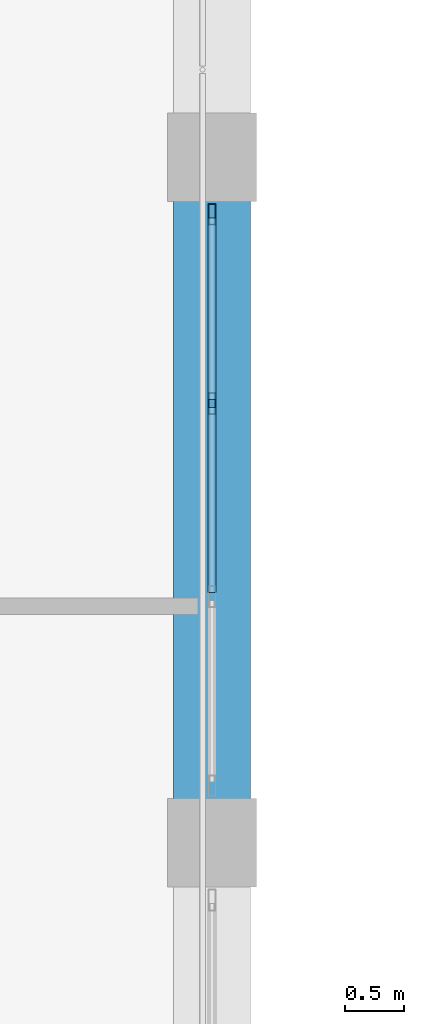
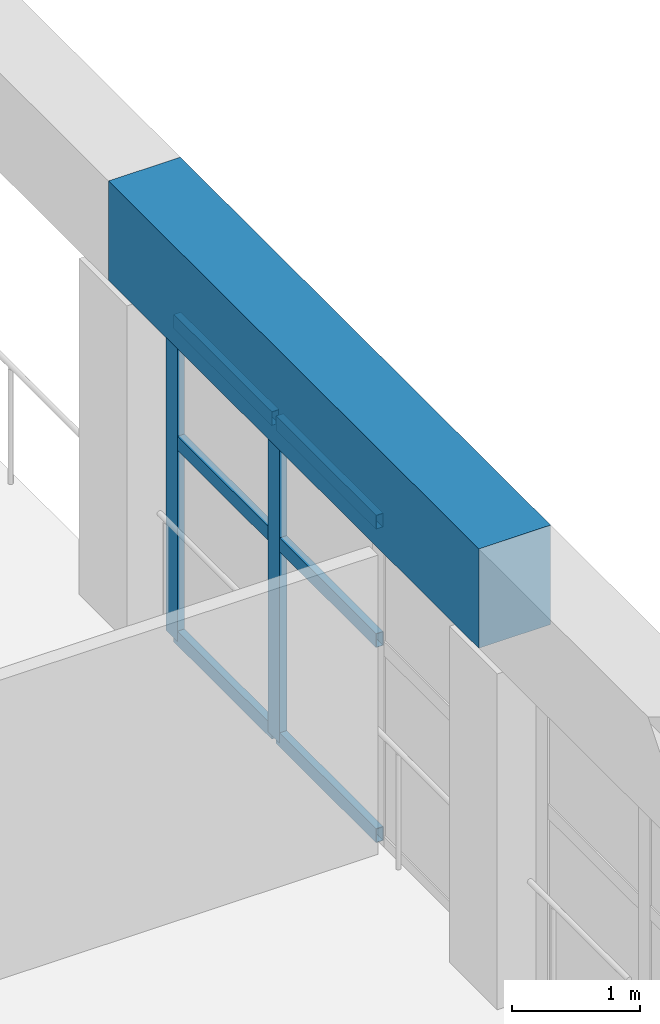
# One storey, part 34 of 128: 8 members, 1 beam, 1 element without a shape of its own.
"""IFC4 building model written with IfcOpenShell, lengths in metres."""

from ifc_helpers import new_model, si_unit, direction, frame, origin, origin_2d, place, context, subcontext, project, spatial, rectangle, hollow_rectangle, extrude, material, material_profile, profile_set, type_object, element, aggregate, save


model = new_model("IFC4")

# Units and contexts
model_context = context("Model", 3, precision=1e-05, world=origin(), true_north=direction((0.0, 1.0)))
body_context = subcontext(model_context, "Body", "Model", "MODEL_VIEW")
ifc_project = project(units=[si_unit("LENGTHUNIT", "METRE"), si_unit("AREAUNIT", "SQUARE_METRE"), si_unit("VOLUMEUNIT", "CUBIC_METRE"), si_unit("PLANEANGLEUNIT", "RADIAN"), si_unit("MASSUNIT", "GRAM", prefix="KILO")], contexts=[model_context])

# Site, building, storey
site_placement = place(None, origin())
site = spatial("IfcSite", under=ifc_project, at=site_placement, CompositionType="ELEMENT")
building_placement = place(site_placement, origin())
building = spatial("IfcBuilding", under=site, at=building_placement, Name="Tanwirah Colonnade Gardens", CompositionType="ELEMENT")
storey_placement = place(building_placement, frame((0.0, 0.0, 4.760009765625)))
storey = spatial("IfcBuildingStorey", under=building, at=storey_placement, Name="L01", CompositionType="ELEMENT", Elevation=4.760009765625)

# Curtain wall, members
ifc_material_1 = material(Name="Bronze-anodised aluminium and solar-control low-E glass", Category="aluminium")
curtain_wall_type = type_object("IfcCurtainWallType", Name="CW-HALL", PredefinedType="NOTDEFINED", material=ifc_material_1)
curtain_wall_placement = place(storey_placement, origin())
curtain_wall = element("IfcCurtainWall", 1, at=curtain_wall_placement, inside=storey, type_object=curtain_wall_type, Name="Curtain Wall CW-HALL-L01-E-5", PredefinedType="NOTDEFINED")
ifc_material_2 = material(Name="Bronze-anodised aluminium", Category="aluminium")
ifc_material_profile_1 = material_profile(ifc_material_2, hollow_rectangle(XDim=0.06494140625, YDim=0.179931640625, WallThickness=0.00390625, at=origin_2d()), Name="CW-MUL 65x180x4")
ifc_profile_set_1 = profile_set([ifc_material_profile_1], Name="Bronze-anodised aluminium")
member_type_1 = type_object("IfcMemberType", Name="CWM-65x180", PredefinedType="MULLION", material=ifc_profile_set_1)
member_1_placement = place(storey_placement, frame((108.0, 66.716552734375, 0.0), z_axis=(0.0, 0.0, 1.0), x_axis=(-1.0, 0.0, 0.0)))
member_1 = element("IfcMember", 2, at=member_1_placement, type_object=member_type_1, Name="CW-HALL mullion 3", PredefinedType="MULLION", context=body_context, shape_type="SweptSolid", body=[
    extrude(hollow_rectangle(XDim=0.06494140625, YDim=0.179931640625, WallThickness=0.00390625, at=origin_2d()), origin(), (0.0, 0.0, 1.0), 3.06005859375),
])
member_2_placement = place(storey_placement, frame((108.0, 68.3173828125, 0.0), z_axis=(0.0, 0.0, 1.0), x_axis=(-1.0, 0.0, 0.0)))
member_2 = element("IfcMember", 3, at=member_2_placement, type_object=member_type_1, Name="CW-HALL mullion 4", PredefinedType="MULLION", context=body_context, shape_type="SweptSolid", body=[
    extrude(hollow_rectangle(XDim=0.06494140625, YDim=0.179931640625, WallThickness=0.00390625, at=origin_2d()), origin(), (0.0, 0.0, 1.0), 3.06005859375),
])
ifc_material_profile_2 = material_profile(ifc_material_2, hollow_rectangle(XDim=0.06494140625, YDim=0.135009765625, WallThickness=0.00390625, at=origin_2d()), Name="CW-TRN 65x135x4")
ifc_profile_set_2 = profile_set([ifc_material_profile_2], Name="Bronze-anodised aluminium")
member_type_2 = type_object("IfcMemberType", Name="CWT-65x135", PredefinedType="USERDEFINED", material=ifc_profile_set_2)
member_3_placement = place(storey_placement, frame((108.0, 65.11572265625, 0.032470703125), z_axis=(0.0, 1.0, 0.0), x_axis=(-1.0, 0.0, 0.0)))
member_3 = element("IfcMember", 4, at=member_3_placement, type_object=member_type_2, Name="CW-HALL transom 2.1", ObjectType="TRANSOM", PredefinedType="USERDEFINED", context=body_context, shape_type="SweptSolid", body=[
    extrude(hollow_rectangle(XDim=0.06494140625, YDim=0.135009765625, WallThickness=0.00390625, at=origin_2d()), origin(), (0.0, 0.0, 1.0), 1.568359375),
])
member_4_placement = place(storey_placement, frame((108.0, 65.11572265625, 1.897216796875), z_axis=(0.0, 1.0, 0.0), x_axis=(-1.0, 0.0, 0.0)))
member_4 = element("IfcMember", 5, at=member_4_placement, type_object=member_type_2, Name="CW-HALL transom 2.2", ObjectType="TRANSOM", PredefinedType="USERDEFINED", context=body_context, shape_type="SweptSolid", body=[
    extrude(hollow_rectangle(XDim=0.06494140625, YDim=0.135009765625, WallThickness=0.00390625, at=origin_2d()), origin(), (0.0, 0.0, 1.0), 1.568359375),
])
member_5_placement = place(storey_placement, frame((108.0, 65.11572265625, 3.027587890625), z_axis=(0.0, 1.0, 0.0), x_axis=(-1.0, 0.0, 0.0)))
member_5 = element("IfcMember", 6, at=member_5_placement, type_object=member_type_2, Name="CW-HALL transom 2.3", ObjectType="TRANSOM", PredefinedType="USERDEFINED", context=body_context, shape_type="SweptSolid", body=[
    extrude(hollow_rectangle(XDim=0.06494140625, YDim=0.135009765625, WallThickness=0.00390625, at=origin_2d()), origin(), (0.0, 0.0, 1.0), 1.568359375),
])
member_6_placement = place(storey_placement, frame((108.0, 66.749267578125, 0.032470703125), z_axis=(0.0, 1.0, 0.0), x_axis=(-1.0, 0.0, 0.0)))
member_6 = element("IfcMember", 7, at=member_6_placement, type_object=member_type_2, Name="CW-HALL transom 3.1", ObjectType="TRANSOM", PredefinedType="USERDEFINED", context=body_context, shape_type="SweptSolid", body=[
    extrude(hollow_rectangle(XDim=0.06494140625, YDim=0.135009765625, WallThickness=0.00390625, at=origin_2d()), origin(), (0.0, 0.0, 1.0), 1.53564453125),
])
member_7_placement = place(storey_placement, frame((108.0, 66.749267578125, 1.897216796875), z_axis=(0.0, 1.0, 0.0), x_axis=(-1.0, 0.0, 0.0)))
member_7 = element("IfcMember", 8, at=member_7_placement, type_object=member_type_2, Name="CW-HALL transom 3.2", ObjectType="TRANSOM", PredefinedType="USERDEFINED", context=body_context, shape_type="SweptSolid", body=[
    extrude(hollow_rectangle(XDim=0.06494140625, YDim=0.135009765625, WallThickness=0.00390625, at=origin_2d()), origin(), (0.0, 0.0, 1.0), 1.53564453125),
])
member_8_placement = place(storey_placement, frame((108.0, 66.749267578125, 3.027587890625), z_axis=(0.0, 1.0, 0.0), x_axis=(-1.0, 0.0, 0.0)))
member_8 = element("IfcMember", 9, at=member_8_placement, type_object=member_type_2, Name="CW-HALL transom 3.3", ObjectType="TRANSOM", PredefinedType="USERDEFINED", context=body_context, shape_type="SweptSolid", body=[
    extrude(hollow_rectangle(XDim=0.06494140625, YDim=0.135009765625, WallThickness=0.00390625, at=origin_2d()), origin(), (0.0, 0.0, 1.0), 1.53564453125),
])
aggregate(curtain_wall, [member_1, member_2, member_3, member_4, member_5, member_6, member_7, member_8])

# Beam
ifc_material_3 = material(Name="Concrete C45/55", Category="concrete")
ifc_material_profile_3 = material_profile(ifc_material_3, rectangle(XDim=0.64990234375, YDim=0.949951171875, at=origin_2d()), Name="RC-RB 650x950")
ifc_profile_set_3 = profile_set([ifc_material_profile_3], Name="Concrete C45/55")
beam_type = type_object("IfcBeamType", Name="RB-V650", PredefinedType="BEAM", material=ifc_profile_set_3)
beam_placement = place(storey_placement, frame((108.0, 63.0, 3.68505859375), z_axis=(0.0, 1.0, 0.0), x_axis=(-1.0, 0.0, 0.0)))
element("IfcBeam", 10, at=beam_placement, inside=storey, type_object=beam_type, Name="Community Hall Vault Ring Beam E-5", PredefinedType="BEAM", context=body_context, shape_type="SweptSolid", body=[
    extrude(rectangle(XDim=0.64990234375, YDim=0.949951171875, at=origin_2d()), origin(), (0.0, 0.0, 1.0), 5.800048828125),
])

save(model, "model.ifc")
